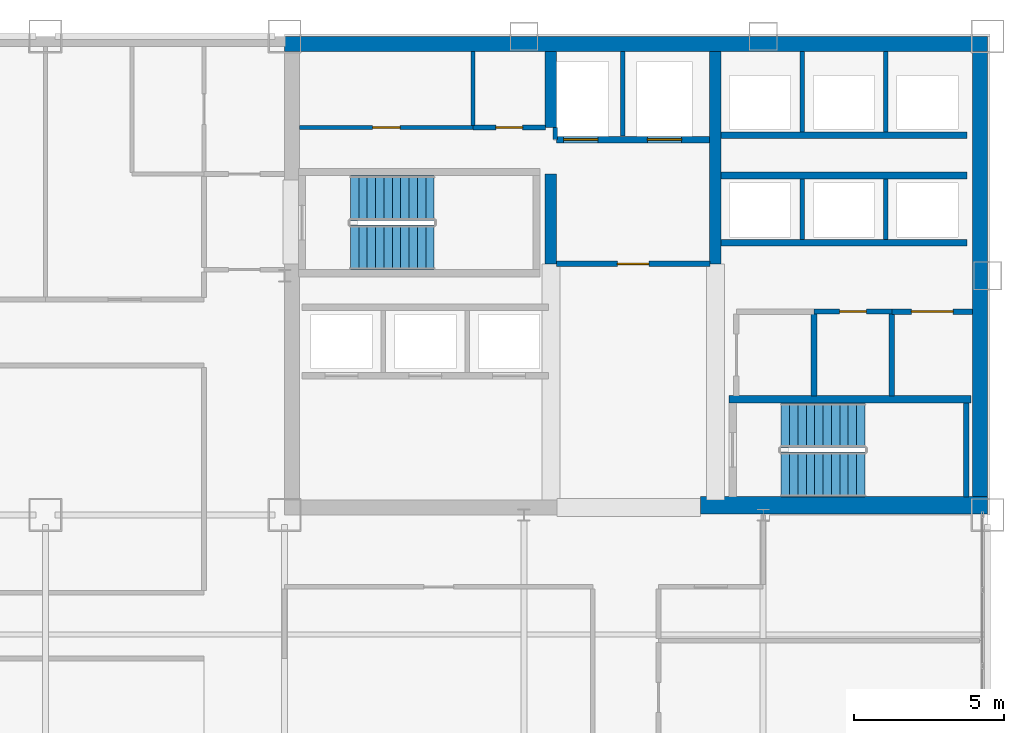
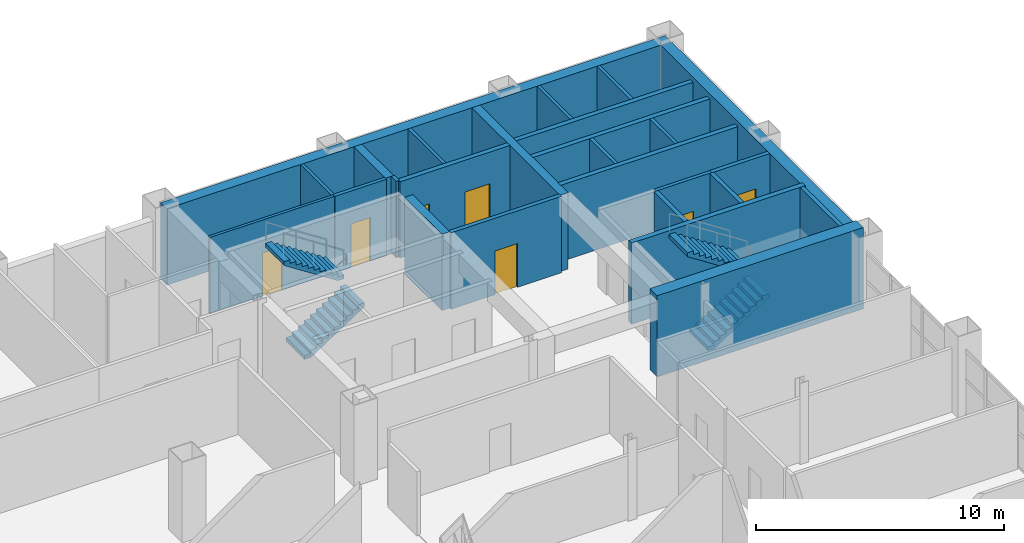
# One storey, part 14 of 16: 26 walls, 7 doors, 4 stair flights, 7 openings, 2 elements without a shape of their own.
"""IFC4 building model written with IfcOpenShell, lengths in metres."""

from ifc_helpers import new_model, si_unit, direction, frame, frame_2d, origin, place, context, subcontext, project, spatial, polyline, rectangle, outline, extrude, material, layer, layer_set, type_object, element, fill, aggregate, save


model = new_model("IFC4")

# Units and contexts
model_context = context("Model", 3, precision=1e-05, world=origin(), true_north=direction((0.0, 1.0)))
body_context = subcontext(model_context, "Body", "Model", "MODEL_VIEW")
ifc_project = project(units=[si_unit("LENGTHUNIT", "METRE"), si_unit("AREAUNIT", "SQUARE_METRE"), si_unit("VOLUMEUNIT", "CUBIC_METRE"), si_unit("PLANEANGLEUNIT", "RADIAN"), si_unit("MASSUNIT", "GRAM", prefix="KILO")], contexts=[model_context])

# Site, building, storey
site_placement = place(None, origin())
site = spatial("IfcSite", under=ifc_project, at=site_placement, CompositionType="ELEMENT")
building_placement = place(site_placement, origin())
building = spatial("IfcBuilding", under=site, at=building_placement, Name="Qianrong Seaharbour Tower", CompositionType="ELEMENT")
storey_placement = place(building_placement, frame((0.0, 0.0, 127.0)))
storey = spatial("IfcBuildingStorey", under=building, at=storey_placement, Name="L30", CompositionType="ELEMENT", Elevation=127.0)

# Walls
ifc_material_1 = material(Name="Concrete C60/75", Category="concrete")
ifc_layer_1 = layer(ifc_material_1, 0.5)
ifc_layer_set_1 = layer_set([ifc_layer_1], Name="Concrete C60/75")
wall_type_1 = type_object("IfcWallType", Name="WALL-CORE-500", PredefinedType="SHEAR", material=ifc_layer_set_1)
wall_1_placement = place(storey_placement, frame((40.5, 51.75, 0.0), z_axis=(0.0, 0.0, 1.0), x_axis=(1.0, 0.0, 0.0)))
element("IfcWall", 1, at=wall_1_placement, inside=storey, type_object=wall_type_1, Name="L30 North Core Shear Wall", PredefinedType="SHEAR", context=body_context, shape_type="SweptSolid", body=[
    extrude(rectangle(XDim=23.5, YDim=0.5, at=frame_2d((11.75, 0.0))), origin(), (0.0, 0.0, 1.0), 3.764892578125),
])
wall_2_placement = place(storey_placement, frame((63.75, 36.320068359375, 0.0), z_axis=(0.0, 0.0, 1.0), x_axis=(0.0, 1.0, 0.0)))
element("IfcWall", 2, at=wall_2_placement, inside=storey, type_object=wall_type_1, Name="L30 East Core Shear Wall", PredefinedType="SHEAR", context=body_context, shape_type="SweptSolid", body=[
    extrude(rectangle(XDim=15.179931640625, YDim=0.5, at=frame_2d((7.58984375, 0.0))), origin(), (0.0, 0.0, 1.0), 3.764892578125),
])
ifc_material_2 = material(Name="Concrete C70/85", Category="concrete")
ifc_layer_2 = layer(ifc_material_2, 0.580078125)
ifc_layer_set_2 = layer_set([ifc_layer_2], Name="Concrete C70/85")
wall_type_2 = type_object("IfcWallType", Name="WALL-CORE-580", PredefinedType="SHEAR", material=ifc_layer_set_2)
wall_3_placement = place(storey_placement, frame((54.39990234375, 36.320068359375, 0.0), z_axis=(0.0, 0.0, 1.0), x_axis=(1.0, 0.0, 0.0)))
element("IfcWall", 3, at=wall_3_placement, inside=storey, type_object=wall_type_2, Name="L30 South Core Shear Wall S3", PredefinedType="SHEAR", context=body_context, shape_type="SweptSolid", body=[
    extrude(rectangle(XDim=9.60009765625, YDim=0.580078125, at=frame_2d((4.800048828125, 0.0))), origin(), (0.0, 0.0, 1.0), 4.0),
])
ifc_layer_3 = layer(ifc_material_1, 0.3798828125)
ifc_layer_set_3 = layer_set([ifc_layer_3], Name="Concrete C60/75")
wall_type_3 = type_object("IfcWallType", Name="WALL-CORE-INT-380", PredefinedType="SHEAR", material=ifc_layer_set_3)
wall_4_placement = place(storey_placement, frame((49.39990234375, 44.39990234375, 0.0), z_axis=(0.0, 0.0, 1.0), x_axis=(0.0, 1.0, 0.0)))
element("IfcWall", 4, at=wall_4_placement, inside=storey, type_object=wall_type_3, Name="L30 Internal Core Shear Wall IW1N1", PredefinedType="SHEAR", context=body_context, shape_type="SweptSolid", body=[
    extrude(rectangle(XDim=3.0, YDim=0.3798828125, at=frame_2d((1.5, 0.0))), origin(), (0.0, 0.0, 1.0), 3.764892578125),
])
wall_5_placement = place(storey_placement, frame((49.39990234375, 48.949951171875, 0.0), z_axis=(0.0, 0.0, 1.0), x_axis=(0.0, 1.0, 0.0)))
element("IfcWall", 5, at=wall_5_placement, inside=storey, type_object=wall_type_3, Name="L30 Internal Core Shear Wall IW1N2", PredefinedType="SHEAR", context=body_context, shape_type="SweptSolid", body=[
    extrude(rectangle(XDim=2.550048828125, YDim=0.3798828125, at=frame_2d((1.27490234375, 0.0))), origin(), (0.0, 0.0, 1.0), 3.764892578125),
])
wall_6_placement = place(storey_placement, frame((54.89990234375, 44.39990234375, 0.0), z_axis=(0.0, 0.0, 1.0), x_axis=(0.0, 1.0, 0.0)))
element("IfcWall", 6, at=wall_6_placement, inside=storey, type_object=wall_type_3, Name="L30 Internal Core Shear Wall IW2N", PredefinedType="SHEAR", context=body_context, shape_type="SweptSolid", body=[
    extrude(rectangle(XDim=7.10009765625, YDim=0.3798828125, at=frame_2d((3.550048828125, 0.0))), origin(), (0.0, 0.0, 1.0), 3.764892578125),
])

# Wall, opening, door
ifc_material_3 = material(Name="Fire-rated acoustic gypsum board partition")
ifc_layer_4 = layer(ifc_material_3, 0.1650390625)
ifc_layer_set_4 = layer_set([ifc_layer_4], Name="Fire-rated acoustic gypsum board partition")
wall_type_4 = type_object("IfcWallType", Name="WALL-CORR-PART-165", PredefinedType="PARTITIONING", material=ifc_layer_set_4)
wall_7_placement = place(storey_placement, frame((46.800048828125, 48.949951171875, 0.0), z_axis=(0.0, 0.0, 1.0), x_axis=(1.0, 0.0, 0.0)))
wall_7 = element("IfcWall", 7, at=wall_7_placement, inside=storey, type_object=wall_type_4, Name="L30 Interior Partition Wall 008", PredefinedType="PARTITIONING", context=body_context, shape_type="SweptSolid", body=[
    extrude(rectangle(XDim=2.41796875, YDim=0.1650390625, at=frame_2d((1.208984375, 0.0))), origin(), (0.0, 0.0, 1.0), 3.764892578125),
])
opening_1_placement = place(wall_7_placement, frame((0.759033203125, 0.0, 0.0)))
opening_1 = element("IfcOpeningElement", 8, at=opening_1_placement, cuts=wall_7, Name="Opening DS-01", PredefinedType="OPENING", context=body_context, shape_type="SweptSolid", body=[
    extrude(rectangle(XDim=0.89990234375, YDim=2.14990234375, at=frame_2d((0.449951171875, 1.074951171875))), frame((0.0, 0.092529296875, 0.0), z_axis=(0.0, -1.0, 0.0), x_axis=(1.0, 0.0, 0.0)), (0.0, 0.0, 1.0), 0.18505859375),
])
ifc_material_4 = material(Name="Acoustic timber and galvanized steel fire door assembly", Category="steel")
door_type_1 = type_object("IfcDoorType", Name="DOOR-STORE-900x2150", OperationType="NOTDEFINED", PredefinedType="DOOR", material=ifc_material_4)
door_1_placement = place(opening_1_placement, origin())
door_1 = element("IfcDoor", 9, at=door_1_placement, inside=storey, type_object=door_type_1, Name="L30 Janitor Store Room Door", OperationType="SINGLE_SWING_LEFT", OverallHeight=2.14990234375, OverallWidth=0.89990234375, PredefinedType="DOOR", context=body_context, shape_type="SweptSolid", body=[
    extrude(rectangle(XDim=0.89990234375, YDim=2.14990234375, at=frame_2d((0.449951171875, 1.074951171875))), frame((0.0, 0.02490234375, 0.0), z_axis=(0.0, -1.0, 0.0), x_axis=(1.0, 0.0, 0.0)), (0.0, 0.0, 1.0), 0.050048828125),
])
fill(opening_1, door_1)

wall_8_placement = place(storey_placement, frame((60.800048828125, 42.800048828125, 0.0), z_axis=(0.0, 0.0, 1.0), x_axis=(-1.0, 0.0, 0.0)))
wall_8 = element("IfcWall", 10, at=wall_8_placement, inside=storey, type_object=wall_type_4, Name="L30 Interior Partition Wall 012", PredefinedType="PARTITIONING", context=body_context, shape_type="SweptSolid", body=[
    extrude(rectangle(XDim=2.60009765625, YDim=0.1650390625, at=frame_2d((1.300048828125, 0.0))), origin(), (0.0, 0.0, 1.0), 3.764892578125),
])
opening_2_placement = place(wall_8_placement, frame((0.85009765625, 0.0, 0.0)))
opening_2 = element("IfcOpeningElement", 11, at=opening_2_placement, cuts=wall_8, Name="Opening DS-01", PredefinedType="OPENING", context=body_context, shape_type="SweptSolid", body=[
    extrude(rectangle(XDim=0.89990234375, YDim=2.14990234375, at=frame_2d((0.449951171875, 1.074951171875))), frame((0.0, 0.092529296875, 0.0), z_axis=(0.0, -1.0, 0.0), x_axis=(1.0, 0.0, 0.0)), (0.0, 0.0, 1.0), 0.18505859375),
])
door_2_placement = place(opening_2_placement, origin())
door_2 = element("IfcDoor", 12, at=door_2_placement, inside=storey, type_object=door_type_1, Name="L30 Supply Store Room Door", OperationType="SINGLE_SWING_RIGHT", OverallHeight=2.14990234375, OverallWidth=0.89990234375, PredefinedType="DOOR", context=body_context, shape_type="SweptSolid", body=[
    extrude(rectangle(XDim=0.89990234375, YDim=2.14990234375, at=frame_2d((0.449951171875, 1.074951171875))), frame((0.0, 0.02490234375, 0.0), z_axis=(0.0, -1.0, 0.0), x_axis=(1.0, 0.0, 0.0)), (0.0, 0.0, 1.0), 0.050048828125),
])
fill(opening_2, door_2)

ifc_material_5 = material(Name="Double fire-rated gypsum board acoustic partition")
ifc_layer_5 = layer(ifc_material_5, 0.18994140625)
ifc_layer_set_5 = layer_set([ifc_layer_5], Name="Double fire-rated gypsum board acoustic partition")
wall_type_5 = type_object("IfcWallType", Name="WALL-FIRE-PART-190", PredefinedType="PARTITIONING", material=ifc_layer_set_5)
wall_9_placement = place(storey_placement, frame((54.718017578125, 44.39990234375, 0.0), z_axis=(0.0, 0.0, 1.0), x_axis=(-1.0, 0.0, 0.0)))
wall_9 = element("IfcWall", 13, at=wall_9_placement, inside=storey, type_object=wall_type_5, Name="L30 Interior Partition Wall 009", PredefinedType="PARTITIONING", context=body_context, shape_type="SweptSolid", body=[
    extrude(rectangle(XDim=5.135986328125, YDim=0.18994140625, at=frame_2d((2.56787109375, 0.0))), origin(), (0.0, 0.0, 1.0), 3.764892578125),
])
opening_3_placement = place(wall_9_placement, frame((2.04296875, 0.0, 0.0)))
opening_3 = element("IfcOpeningElement", 14, at=opening_3_placement, cuts=wall_9, Name="Opening DC-01", PredefinedType="OPENING", context=body_context, shape_type="SweptSolid", body=[
    extrude(rectangle(XDim=1.050048828125, YDim=2.14990234375, at=frame_2d((0.52490234375, 1.074951171875))), frame((0.0, 0.10498046875, 0.0), z_axis=(0.0, -1.0, 0.0), x_axis=(1.0, 0.0, 0.0)), (0.0, 0.0, 1.0), 0.2099609375),
])
door_type_2 = type_object("IfcDoorType", Name="DOOR-CORR-FD60-1050x2150", OperationType="NOTDEFINED", PredefinedType="DOOR", material=ifc_material_4)
door_3_placement = place(opening_3_placement, origin())
door_3 = element("IfcDoor", 15, at=door_3_placement, inside=storey, type_object=door_type_2, Name="L30 Firefighting Lift Lobby Door", OperationType="SINGLE_SWING_LEFT", OverallHeight=2.14990234375, OverallWidth=1.050048828125, PredefinedType="DOOR", context=body_context, shape_type="SweptSolid", body=[
    extrude(rectangle(XDim=1.050048828125, YDim=2.14990234375, at=frame_2d((0.52490234375, 1.074951171875))), frame((0.0, 0.02490234375, 0.0), z_axis=(0.0, -1.0, 0.0), x_axis=(1.0, 0.0, 0.0)), (0.0, 0.0, 1.0), 0.050048828125),
])
fill(opening_3, door_3)

wall_10_placement = place(storey_placement, frame((63.5, 42.800048828125, 0.0), z_axis=(0.0, 0.0, 1.0), x_axis=(-1.0, 0.0, 0.0)))
wall_10 = element("IfcWall", 16, at=wall_10_placement, inside=storey, type_object=wall_type_5, Name="L30 Interior Partition Wall 013", PredefinedType="PARTITIONING", context=body_context, shape_type="SweptSolid", body=[
    extrude(rectangle(XDim=2.699951171875, YDim=0.18994140625, at=frame_2d((1.35009765625, 0.0))), origin(), (0.0, 0.0, 1.0), 3.764892578125),
])
opening_4_placement = place(wall_10_placement, frame((0.64990234375, 0.0, 0.0)))
opening_4 = element("IfcOpeningElement", 17, at=opening_4_placement, cuts=wall_10, Name="Opening DP-01", PredefinedType="OPENING", context=body_context, shape_type="SweptSolid", body=[
    extrude(rectangle(XDim=1.39990234375, YDim=2.25, at=frame_2d((0.699951171875, 1.125))), frame((0.0, 0.10498046875, 0.0), z_axis=(0.0, -1.0, 0.0), x_axis=(1.0, 0.0, 0.0)), (0.0, 0.0, 1.0), 0.2099609375),
])
door_type_3 = type_object("IfcDoorType", Name="DOOR-PLANT-PAIR-1400x2250", OperationType="DOUBLE_DOOR_SINGLE_SWING", PredefinedType="DOOR", material=ifc_material_4)
door_4_placement = place(opening_4_placement, origin())
door_4 = element("IfcDoor", 18, at=door_4_placement, inside=storey, type_object=door_type_3, Name="L30 Building Metering Room Door", OperationType="DOUBLE_DOOR_SINGLE_SWING", OverallHeight=2.25, OverallWidth=1.39990234375, PredefinedType="DOOR", context=body_context, shape_type="SweptSolid", body=[
    extrude(rectangle(XDim=1.39990234375, YDim=2.25, at=frame_2d((0.699951171875, 1.125))), frame((0.0, 0.02490234375, 0.0), z_axis=(0.0, -1.0, 0.0), x_axis=(1.0, 0.0, 0.0)), (0.0, 0.0, 1.0), 0.050048828125),
])
fill(opening_4, door_4)

# Walls
for number, where, z_axis, x_axis, name in (
    (19, (58.199951171875, 42.712890625, 0.0), (0.0, 0.0, 1.0), (0.0, -1.0, 0.0), "L30 Interior Partition Wall 015"),
    (20, (60.800048828125, 42.712890625, 0.0), (0.0, 0.0, 1.0), (0.0, -1.0, 0.0), "L30 Interior Partition Wall 016"),
):
    element("IfcWall", number, at=place(storey_placement, frame(where, z_axis=z_axis, x_axis=x_axis)), inside=storey, type_object=wall_type_5, Name=name, PredefinedType="PARTITIONING", context=body_context, shape_type="SweptSolid", body=[
        extrude(rectangle(XDim=2.73095703125, YDim=0.18994140625, at=frame_2d((1.365478515625, 0.0))), origin(), (0.0, 0.0, 1.0), 3.764892578125),
    ])
ifc_material_6 = material(Name="Fire-rated gypsum board on steel studs", Category="steel")
ifc_layer_6 = layer(ifc_material_6, 0.14990234375)
ifc_layer_set_6 = layer_set([ifc_layer_6], Name="Fire-rated gypsum board on steel studs")
wall_type_6 = type_object("IfcWallType", Name="WALL-SHAFT-DIV-150", PredefinedType="PARTITIONING", material=ifc_layer_set_6)
wall_11_placement = place(storey_placement, frame((51.800048828125, 48.669921875, 0.0), z_axis=(0.0, 0.0, 1.0), x_axis=(0.0, 1.0, 0.0)))
element("IfcWall", 21, at=wall_11_placement, inside=storey, type_object=wall_type_6, Name="L30 Firefighting Lift Shaft Divider Wall", PredefinedType="PARTITIONING", context=body_context, shape_type="SweptSolid", body=[
    extrude(rectangle(XDim=2.830078125, YDim=0.14990234375, at=frame_2d((1.4150390625, 0.0))), origin(), (0.0, 0.0, 1.0), 3.764892578125),
])
wall_12_placement = place(storey_placement, frame((49.550048828125, 48.550048828125, 0.0), z_axis=(0.0, 0.0, 1.0), x_axis=(0.0, 1.0, 0.0)))
element("IfcWall", 22, at=wall_12_placement, inside=storey, type_object=wall_type_6, Name="L30 Firefighting Lift Shaft West Return Wall", PredefinedType="PARTITIONING", context=body_context, shape_type="SweptSolid", body=[
    extrude(rectangle(XDim=0.39990234375, YDim=0.14990234375, at=frame_2d((0.199951171875, 0.0))), origin(), (0.0, 0.0, 1.0), 3.764892578125),
])
for number, where, z_axis, x_axis, name in (
    (23, (57.800048828125, 45.2099609375, 0.0), (0.0, 0.0, 1.0), (0.0, 1.0, 0.0), "L30 P3 Lift Hoistway Divider 2"),
    (24, (60.60009765625, 45.2099609375, 0.0), (0.0, 0.0, 1.0), (0.0, 1.0, 0.0), "L30 P3 Lift Hoistway Divider 3"),
):
    element("IfcWall", number, at=place(storey_placement, frame(where, z_axis=z_axis, x_axis=x_axis)), inside=storey, type_object=wall_type_6, Name=name, PredefinedType="PARTITIONING", context=body_context, shape_type="SweptSolid", body=[
        extrude(rectangle(XDim=2.030029296875, YDim=0.14990234375, at=frame_2d((1.01513671875, 0.0))), origin(), (0.0, 0.0, 1.0), 3.764892578125),
    ])
for number, where, z_axis, x_axis, name in (
    (25, (57.800048828125, 48.81005859375, 0.0), (0.0, 0.0, 1.0), (0.0, 1.0, 0.0), "L30 P4 Lift Hoistway Divider 2"),
    (26, (60.60009765625, 48.81005859375, 0.0), (0.0, 0.0, 1.0), (0.0, 1.0, 0.0), "L30 P4 Lift Hoistway Divider 3"),
):
    element("IfcWall", number, at=place(storey_placement, frame(where, z_axis=z_axis, x_axis=x_axis)), inside=storey, type_object=wall_type_6, Name=name, PredefinedType="PARTITIONING", context=body_context, shape_type="SweptSolid", body=[
        extrude(rectangle(XDim=2.68994140625, YDim=0.14990234375, at=frame_2d((1.344970703125, 0.0))), origin(), (0.0, 0.0, 1.0), 3.764892578125),
    ])

# Wall, openings, doors
ifc_layer_7 = layer(ifc_material_6, 0.219970703125)
ifc_layer_set_7 = layer_set([ifc_layer_7], Name="Fire-rated gypsum board on steel studs")
wall_type_7 = type_object("IfcWallType", Name="WALL-SHAFT-GYP220", PredefinedType="PARTITIONING", material=ifc_layer_set_7)
wall_13_placement = place(storey_placement, frame((54.7099609375, 48.550048828125, 0.0), z_axis=(0.0, 0.0, 1.0), x_axis=(-1.0, 0.0, 0.0)))
wall_13 = element("IfcWall", 27, at=wall_13_placement, inside=storey, type_object=wall_type_7, Name="L30 Firefighting Lift Shaft Front Wall", PredefinedType="PARTITIONING", context=body_context, shape_type="SweptSolid", body=[
    extrude(rectangle(XDim=5.119873046875, YDim=0.219970703125, at=frame_2d((2.56005859375, 0.0))), origin(), (0.0, 0.0, 1.0), 3.764892578125),
])
opening_5_placement = place(wall_13_placement, frame((3.735107421875, 0.0, 0.0)))
opening_5 = element("IfcOpeningElement", 28, at=opening_5_placement, cuts=wall_13, Name="Opening LD-01", PredefinedType="OPENING", context=body_context, shape_type="SweptSolid", body=[
    extrude(rectangle(XDim=1.14990234375, YDim=2.199951171875, at=frame_2d((0.574951171875, 1.10009765625))), frame((0.0, 0.1201171875, 0.0), z_axis=(0.0, -1.0, 0.0), x_axis=(1.0, 0.0, 0.0)), (0.0, 0.0, 1.0), 0.239990234375),
])
opening_6_placement = place(wall_13_placement, frame((0.93505859375, 0.0, 0.0)))
opening_6 = element("IfcOpeningElement", 29, at=opening_6_placement, cuts=wall_13, Name="Opening LD-01", PredefinedType="OPENING", context=body_context, shape_type="SweptSolid", body=[
    extrude(rectangle(XDim=1.14990234375, YDim=2.199951171875, at=frame_2d((0.574951171875, 1.10009765625))), frame((0.0, 0.1201171875, 0.0), z_axis=(0.0, -1.0, 0.0), x_axis=(1.0, 0.0, 0.0)), (0.0, 0.0, 1.0), 0.239990234375),
])
ifc_material_7 = material(Name="Stainless steel SUS316L bi-parting lift landing door", Category="steel")
door_type_4 = type_object("IfcDoorType", Name="DOOR-LIFT-FF-1150x2200", OperationType="DOUBLE_DOOR_SLIDING", PredefinedType="DOOR", material=ifc_material_7)
door_5_placement = place(opening_5_placement, origin())
door_5 = element("IfcDoor", 30, at=door_5_placement, inside=storey, type_object=door_type_4, Name="L30 FL-1 Firefighting Lift Landing Door", OperationType="DOUBLE_DOOR_SLIDING", OverallHeight=2.199951171875, OverallWidth=1.14990234375, PredefinedType="DOOR", context=body_context, shape_type="SweptSolid", body=[
    extrude(rectangle(XDim=1.14990234375, YDim=2.199951171875, at=frame_2d((0.574951171875, 1.10009765625))), frame((0.0, 0.02490234375, 0.0), z_axis=(0.0, -1.0, 0.0), x_axis=(1.0, 0.0, 0.0)), (0.0, 0.0, 1.0), 0.050048828125),
])
fill(opening_5, door_5)
door_6_placement = place(opening_6_placement, origin())
door_6 = element("IfcDoor", 31, at=door_6_placement, inside=storey, type_object=door_type_4, Name="L30 FL-2 Firefighting Lift Landing Door", OperationType="DOUBLE_DOOR_SLIDING", OverallHeight=2.199951171875, OverallWidth=1.14990234375, PredefinedType="DOOR", context=body_context, shape_type="SweptSolid", body=[
    extrude(rectangle(XDim=1.14990234375, YDim=2.199951171875, at=frame_2d((0.574951171875, 1.10009765625))), frame((0.0, 0.02490234375, 0.0), z_axis=(0.0, -1.0, 0.0), x_axis=(1.0, 0.0, 0.0)), (0.0, 0.0, 1.0), 0.050048828125),
])
fill(opening_6, door_6)

# Walls
for number, where, z_axis, x_axis, name in (
    (32, (63.320068359375, 45.10009765625, 0.0), (0.0, 0.0, 1.0), (-1.0, 0.0, 0.0), "L30 P3 Lift Hoistway Front Wall"),
    (33, (55.080078125, 47.35009765625, 0.0), (0.0, 0.0, 1.0), (1.0, 0.0, 0.0), "L30 P3 Lift Hoistway Back Wall"),
    (34, (63.320068359375, 48.699951171875, 0.0), (0.0, 0.0, 1.0), (-1.0, 0.0, 0.0), "L30 P4 Lift Hoistway Front Wall"),
):
    element("IfcWall", number, at=place(storey_placement, frame(where, z_axis=z_axis, x_axis=x_axis)), inside=storey, type_object=wall_type_7, Name=name, PredefinedType="PARTITIONING", context=body_context, shape_type="SweptSolid", body=[
        extrude(rectangle(XDim=8.239990234375, YDim=0.219970703125, at=frame_2d((4.1201171875, 0.0))), origin(), (0.0, 0.0, 1.0), 3.764892578125),
    ])
ifc_material_8 = material(Name="Concrete C50/60", Category="concrete")
ifc_layer_8 = layer(ifc_material_8, 0.239990234375)
ifc_layer_set_8 = layer_set([ifc_layer_8], Name="Concrete C50/60")
wall_type_8 = type_object("IfcWallType", Name="WALL-SHAFT-RC240", PredefinedType="SOLIDWALL", material=ifc_layer_set_8)
wall_14_placement = place(storey_placement, frame((55.360107421875, 39.8701171875, 0.0), z_axis=(0.0, 0.0, 1.0), x_axis=(1.0, 0.0, 0.0)))
element("IfcWall", 35, at=wall_14_placement, inside=storey, type_object=wall_type_8, Name="L30 ST-2 Structural Stair Core Wall N", PredefinedType="SOLIDWALL", context=body_context, shape_type="SweptSolid", body=[
    extrude(rectangle(XDim=8.079833984375, YDim=0.239990234375, at=frame_2d((4.0400390625, 0.0))), origin(), (0.0, 0.0, 1.0), 4.0),
])
wall_15_placement = place(storey_placement, frame((63.2900390625, 36.60009765625, 0.0), z_axis=(0.0, 0.0, 1.0), x_axis=(0.0, 1.0, 0.0)))
element("IfcWall", 36, at=wall_15_placement, inside=storey, type_object=wall_type_8, Name="L30 ST-2 Structural Stair Core Wall E", PredefinedType="SOLIDWALL", context=body_context, shape_type="SweptSolid", body=[
    extrude(rectangle(XDim=3.14990234375, YDim=0.179931640625, at=frame_2d((1.574951171875, 0.0))), origin(), (0.0, 0.0, 1.0), 4.0),
])

# Wall, opening, door
ifc_material_9 = material(Name="Water-resistant cement board sanitary partition")
ifc_layer_9 = layer(ifc_material_9, 0.1298828125)
ifc_layer_set_9 = layer_set([ifc_layer_9], Name="Water-resistant cement board sanitary partition")
wall_type_9 = type_object("IfcWallType", Name="WALL-WET-PART-130", PredefinedType="PARTITIONING", material=ifc_layer_set_9)
wall_16_placement = place(storey_placement, frame((41.0, 48.949951171875, 0.0), z_axis=(0.0, 0.0, 1.0), x_axis=(1.0, 0.0, 0.0)))
wall_16 = element("IfcWall", 37, at=wall_16_placement, inside=storey, type_object=wall_type_9, Name="L30 Interior Partition Wall 007", PredefinedType="PARTITIONING", context=body_context, shape_type="SweptSolid", body=[
    extrude(rectangle(XDim=5.800048828125, YDim=0.1298828125, at=frame_2d((2.89990234375, 0.0))), origin(), (0.0, 0.0, 1.0), 3.764892578125),
])
opening_7_placement = place(wall_16_placement, frame((2.43994140625, 0.0, 0.0)))
opening_7 = element("IfcOpeningElement", 38, at=opening_7_placement, cuts=wall_16, Name="Opening DW-01", PredefinedType="OPENING", context=body_context, shape_type="SweptSolid", body=[
    extrude(rectangle(XDim=0.919921875, YDim=2.14990234375, at=frame_2d((0.4599609375, 1.074951171875))), frame((0.0, 0.074951171875, 0.0), z_axis=(0.0, -1.0, 0.0), x_axis=(1.0, 0.0, 0.0)), (0.0, 0.0, 1.0), 0.14990234375),
])
door_type_5 = type_object("IfcDoorType", Name="DOOR-WC-920x2150", OperationType="NOTDEFINED", PredefinedType="DOOR", material=ifc_material_4)
door_7_placement = place(opening_7_placement, origin())
door_7 = element("IfcDoor", 39, at=door_7_placement, inside=storey, type_object=door_type_5, Name="L30 Restroom WC Suite Door", OperationType="SINGLE_SWING_RIGHT", OverallHeight=2.14990234375, OverallWidth=0.919921875, PredefinedType="DOOR", context=body_context, shape_type="SweptSolid", body=[
    extrude(rectangle(XDim=0.919921875, YDim=2.14990234375, at=frame_2d((0.4599609375, 1.074951171875))), frame((0.0, 0.02490234375, 0.0), z_axis=(0.0, -1.0, 0.0), x_axis=(1.0, 0.0, 0.0)), (0.0, 0.0, 1.0), 0.050048828125),
])
fill(opening_7, door_7)

# Wall
wall_17_placement = place(storey_placement, frame((46.800048828125, 51.5, 0.0), z_axis=(0.0, 0.0, 1.0), x_axis=(0.0, -1.0, 0.0)))
element("IfcWall", 40, at=wall_17_placement, inside=storey, type_object=wall_type_9, Name="L30 Interior Partition Wall 014", PredefinedType="PARTITIONING", context=body_context, shape_type="SweptSolid", body=[
    extrude(rectangle(XDim=2.4755859375, YDim=0.1298828125, at=frame_2d((1.23779296875, 0.0))), origin(), (0.0, 0.0, 1.0), 3.764892578125),
])

# Stair, stair flights
stair_type = type_object("IfcStairType", Name="STAIR-DOGLEG-1500-R22", PredefinedType="HALF_TURN_STAIR", material=ifc_material_8)
stair_1_placement = place(storey_placement, origin())
stair_1 = element("IfcStair", 41, at=stair_1_placement, inside=storey, type_object=stair_type, Name="L30 Protected Escape Stair ST-1", PredefinedType="HALF_TURN_STAIR")
stair_flight_type = type_object("IfcStairFlightType", Name="FLIGHT-STR-1500-R22", PredefinedType="STRAIGHT", material=ifc_material_8)
stair_flight_1_placement = place(storey_placement, frame((42.699951171875, 44.949951171875, 0.0), z_axis=(0.0, 0.0, 1.0), x_axis=(1.0, 0.0, 0.0)))
stair_flight_1 = element("IfcStairFlight", 42, at=stair_flight_1_placement, type_object=stair_flight_type, Name="ST-1 flight 1", NumberOfRisers=11, NumberOfTreads=10, PredefinedType="STRAIGHT", RiserHeight=0.181818182, TreadLength=0.28, context=body_context, shape_type="SweptSolid", body=[
    extrude(outline(polyline([(0.0, 0.0), (0.0, 0.181884765625), (0.280029296875, 0.181884765625), (0.280029296875, 0.363525390625), (0.56005859375, 0.363525390625), (0.56005859375, 0.54541015625), (0.840087890625, 0.54541015625), (0.840087890625, 0.727294921875), (1.1201171875, 0.727294921875), (1.1201171875, 0.9091796875), (1.39990234375, 0.9091796875), (1.39990234375, 1.0908203125), (1.679931640625, 1.0908203125), (1.679931640625, 1.272705078125), (1.9599609375, 1.272705078125), (1.9599609375, 1.45458984375), (2.239990234375, 1.45458984375), (2.239990234375, 1.636474609375), (2.52001953125, 1.636474609375), (2.52001953125, 1.818115234375), (2.800048828125, 1.818115234375), (2.800048828125, 2.0), (2.800048828125, 1.62744140625), (0.293701171875, 0.0), (0.0, 0.0)])), frame((0.0, 0.75, 0.0), z_axis=(0.0, -1.0, 0.0), x_axis=(1.0, 0.0, 0.0)), (0.0, 0.0, 1.0), 1.5),
])
stair_flight_2_placement = place(storey_placement, frame((45.5, 46.60009765625, 2.0), z_axis=(0.0, 0.0, 1.0), x_axis=(-1.0, 0.0, 0.0)))
stair_flight_2 = element("IfcStairFlight", 43, at=stair_flight_2_placement, type_object=stair_flight_type, Name="ST-1 flight 2", NumberOfRisers=11, NumberOfTreads=10, PredefinedType="STRAIGHT", RiserHeight=0.181818182, TreadLength=0.28, context=body_context, shape_type="SweptSolid", body=[
    extrude(outline(polyline([(0.0, 0.0), (0.0, 0.181884765625), (0.280029296875, 0.181884765625), (0.280029296875, 0.363525390625), (0.56005859375, 0.363525390625), (0.56005859375, 0.54541015625), (0.840087890625, 0.54541015625), (0.840087890625, 0.727294921875), (1.1201171875, 0.727294921875), (1.1201171875, 0.9091796875), (1.39990234375, 0.9091796875), (1.39990234375, 1.0908203125), (1.679931640625, 1.0908203125), (1.679931640625, 1.272705078125), (1.9599609375, 1.272705078125), (1.9599609375, 1.45458984375), (2.239990234375, 1.45458984375), (2.239990234375, 1.636474609375), (2.52001953125, 1.636474609375), (2.52001953125, 1.818115234375), (2.800048828125, 1.818115234375), (2.800048828125, 2.0), (2.800048828125, 1.62744140625), (0.293701171875, 0.0), (0.0, 0.0)])), frame((0.0, 0.75, 0.0), z_axis=(0.0, -1.0, 0.0), x_axis=(1.0, 0.0, 0.0)), (0.0, 0.0, 1.0), 1.5),
])
aggregate(stair_1, [stair_flight_1, stair_flight_2])

stair_2_placement = place(storey_placement, origin())
stair_2 = element("IfcStair", 44, at=stair_2_placement, inside=storey, type_object=stair_type, Name="L30 Protected Escape Stair ST-2", PredefinedType="HALF_TURN_STAIR")
stair_flight_3_placement = place(storey_placement, frame((57.10009765625, 37.35009765625, 0.0), z_axis=(0.0, 0.0, 1.0), x_axis=(1.0, 0.0, 0.0)))
stair_flight_3 = element("IfcStairFlight", 45, at=stair_flight_3_placement, type_object=stair_flight_type, Name="ST-2 flight 1", NumberOfRisers=11, NumberOfTreads=10, PredefinedType="STRAIGHT", RiserHeight=0.181818182, TreadLength=0.28, context=body_context, shape_type="SweptSolid", body=[
    extrude(outline(polyline([(0.0, 0.0), (0.0, 0.181884765625), (0.280029296875, 0.181884765625), (0.280029296875, 0.363525390625), (0.56005859375, 0.363525390625), (0.56005859375, 0.54541015625), (0.840087890625, 0.54541015625), (0.840087890625, 0.727294921875), (1.1201171875, 0.727294921875), (1.1201171875, 0.9091796875), (1.39990234375, 0.9091796875), (1.39990234375, 1.0908203125), (1.679931640625, 1.0908203125), (1.679931640625, 1.272705078125), (1.9599609375, 1.272705078125), (1.9599609375, 1.45458984375), (2.239990234375, 1.45458984375), (2.239990234375, 1.636474609375), (2.52001953125, 1.636474609375), (2.52001953125, 1.818115234375), (2.800048828125, 1.818115234375), (2.800048828125, 2.0), (2.800048828125, 1.62744140625), (0.293701171875, 0.0), (0.0, 0.0)])), frame((0.0, 0.75, 0.0), z_axis=(0.0, -1.0, 0.0), x_axis=(1.0, 0.0, 0.0)), (0.0, 0.0, 1.0), 1.5),
])
stair_flight_4_placement = place(storey_placement, frame((59.89990234375, 39.0, 2.0), z_axis=(0.0, 0.0, 1.0), x_axis=(-1.0, 0.0, 0.0)))
stair_flight_4 = element("IfcStairFlight", 46, at=stair_flight_4_placement, type_object=stair_flight_type, Name="ST-2 flight 2", NumberOfRisers=11, NumberOfTreads=10, PredefinedType="STRAIGHT", RiserHeight=0.181818182, TreadLength=0.28, context=body_context, shape_type="SweptSolid", body=[
    extrude(outline(polyline([(0.0, 0.0), (0.0, 0.181884765625), (0.280029296875, 0.181884765625), (0.280029296875, 0.363525390625), (0.56005859375, 0.363525390625), (0.56005859375, 0.54541015625), (0.840087890625, 0.54541015625), (0.840087890625, 0.727294921875), (1.1201171875, 0.727294921875), (1.1201171875, 0.9091796875), (1.39990234375, 0.9091796875), (1.39990234375, 1.0908203125), (1.679931640625, 1.0908203125), (1.679931640625, 1.272705078125), (1.9599609375, 1.272705078125), (1.9599609375, 1.45458984375), (2.239990234375, 1.45458984375), (2.239990234375, 1.636474609375), (2.52001953125, 1.636474609375), (2.52001953125, 1.818115234375), (2.800048828125, 1.818115234375), (2.800048828125, 2.0), (2.800048828125, 1.62744140625), (0.293701171875, 0.0), (0.0, 0.0)])), frame((0.0, 0.75, 0.0), z_axis=(0.0, -1.0, 0.0), x_axis=(1.0, 0.0, 0.0)), (0.0, 0.0, 1.0), 1.5),
])
aggregate(stair_2, [stair_flight_3, stair_flight_4])

save(model, "model.ifc")
